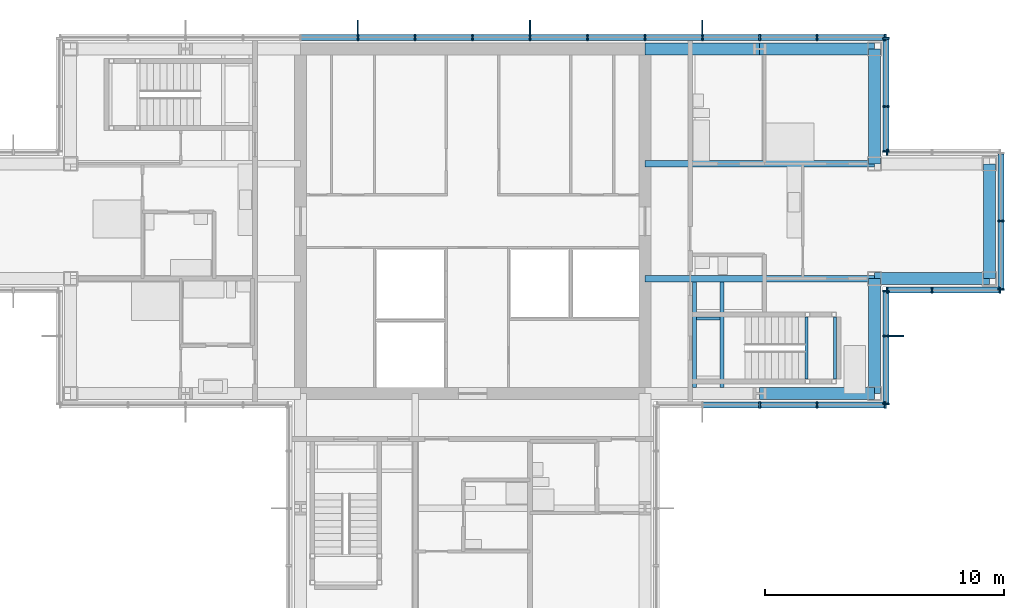
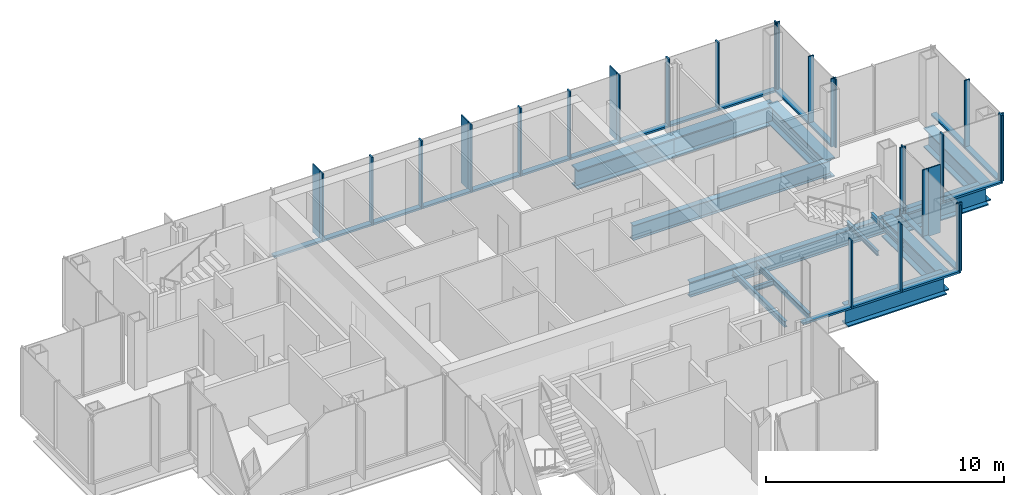
# One storey, part 7 of 15: 50 members, 14 beams, 7 elements without a shape of their own.
"""IFC4 building model written with IfcOpenShell, lengths in metres."""

from ifc_helpers import new_model, si_unit, direction, frame, origin, origin_2d, place, context, subcontext, project, spatial, rectangle, i_section, extrude, material, material_profile, profile_set, type_object, element, aggregate, save


model = new_model("IFC4")

# Units and contexts
model_context = context("Model", 3, precision=1e-05, world=origin(), true_north=direction((0.0, 1.0)))
body_context = subcontext(model_context, "Body", "Model", "MODEL_VIEW")
ifc_project = project(units=[si_unit("LENGTHUNIT", "METRE"), si_unit("AREAUNIT", "SQUARE_METRE"), si_unit("VOLUMEUNIT", "CUBIC_METRE"), si_unit("PLANEANGLEUNIT", "RADIAN"), si_unit("MASSUNIT", "GRAM", prefix="KILO")], contexts=[model_context])

# Site, building, storey
site_placement = place(None, origin())
site = spatial("IfcSite", under=ifc_project, at=site_placement, CompositionType="ELEMENT")
building_placement = place(site_placement, origin())
building = spatial("IfcBuilding", under=site, at=building_placement, Name="Kvirike Care Tower", CompositionType="ELEMENT")
storey_placement = place(building_placement, frame((0.0, 0.0, 205.0)))
storey = spatial("IfcBuildingStorey", under=building, at=storey_placement, Name="L56", CompositionType="ELEMENT", Elevation=205.0)

# Curtain wall, member
ifc_material_1 = material(Name="Anodised aluminium stick system", Category="aluminium")
curtain_wall_type = type_object("IfcCurtainWallType", Name="CW-D STICK CURTAIN WALL", PredefinedType="NOTDEFINED", material=ifc_material_1)
curtain_wall_1_placement = place(storey_placement, origin())
curtain_wall_1 = element("IfcCurtainWall", 1, at=curtain_wall_1_placement, inside=storey, type_object=curtain_wall_type, Name="Curtain wall L56 face 2", PredefinedType="NOTDEFINED")
ifc_material_2 = material(Name="Bronze anodised aluminium fin", Category="aluminium")
ifc_material_profile_1 = material_profile(ifc_material_2, rectangle(XDim=0.050048828125, YDim=0.60009765625, at=origin_2d()), Name="BRONZE FIN 600")
ifc_profile_set_1 = profile_set([ifc_material_profile_1], Name="Bronze anodised aluminium fin")
member_type_1 = type_object("IfcMemberType", Name="BRONZE FIN 600", PredefinedType="USERDEFINED", material=ifc_profile_set_1)
member_1_placement = place(storey_placement, frame((39.31005859375, 31.199951171875, 0.0), z_axis=(0.0, 0.0, 1.0), x_axis=(0.0, 1.0, 0.0)))
member_1 = element("IfcMember", 2, at=member_1_placement, type_object=member_type_1, Name="Bronze fin L56 face 2.2", ObjectType="FIN", PredefinedType="USERDEFINED", context=body_context, shape_type="SweptSolid", body=[
    extrude(rectangle(XDim=0.050048828125, YDim=0.60009765625, at=origin_2d()), origin(), (0.0, 0.0, 1.0), 3.5),
])

# Curtain wall, members
curtain_wall_2_placement = place(storey_placement, origin())
curtain_wall_2 = element("IfcCurtainWall", 3, at=curtain_wall_2_placement, inside=storey, type_object=curtain_wall_type, Name="Curtain wall L56 face 7", PredefinedType="NOTDEFINED")
member_2_placement = place(storey_placement, frame((31.199951171875, 44.110107421875, 0.0), z_axis=(0.0, 0.0, 1.0), x_axis=(-1.0, 0.0, 0.0)))
member_2 = element("IfcMember", 4, at=member_2_placement, type_object=member_type_1, Name="Bronze fin L56 face 7.4", ObjectType="FIN", PredefinedType="USERDEFINED", context=body_context, shape_type="SweptSolid", body=[
    extrude(rectangle(XDim=0.050048828125, YDim=0.60009765625, at=origin_2d()), origin(), (0.0, 0.0, 1.0), 3.5),
])
member_3_placement = place(storey_placement, frame((24.0, 44.110107421875, 0.0), z_axis=(0.0, 0.0, 1.0), x_axis=(-1.0, 0.0, 0.0)))
member_3 = element("IfcMember", 5, at=member_3_placement, type_object=member_type_1, Name="Bronze fin L56 face 7.7", ObjectType="FIN", PredefinedType="USERDEFINED", context=body_context, shape_type="SweptSolid", body=[
    extrude(rectangle(XDim=0.050048828125, YDim=0.60009765625, at=origin_2d()), origin(), (0.0, 0.0, 1.0), 3.5),
])
member_4_placement = place(storey_placement, frame((16.800048828125, 44.110107421875, 0.0), z_axis=(0.0, 0.0, 1.0), x_axis=(-1.0, 0.0, 0.0)))
member_4 = element("IfcMember", 6, at=member_4_placement, type_object=member_type_1, Name="Bronze fin L56 face 7.10", ObjectType="FIN", PredefinedType="USERDEFINED", context=body_context, shape_type="SweptSolid", body=[
    extrude(rectangle(XDim=0.050048828125, YDim=0.60009765625, at=origin_2d()), origin(), (0.0, 0.0, 1.0), 3.5),
])

curtain_wall_3_placement = place(storey_placement, origin())
curtain_wall_3 = element("IfcCurtainWall", 7, at=curtain_wall_3_placement, inside=storey, type_object=curtain_wall_type, Name="Curtain wall L56 face 1", PredefinedType="NOTDEFINED")
ifc_material_3 = material(Name="Bronze anodised aluminium mullion", Category="aluminium")
ifc_material_profile_2 = material_profile(ifc_material_3, rectangle(XDim=0.06494140625, YDim=0.260009765625, at=origin_2d()), Name="CW-D MULLION 65x260")
ifc_profile_set_2 = profile_set([ifc_material_profile_2], Name="Bronze anodised aluminium mullion")
member_type_2 = type_object("IfcMemberType", Name="CW-D MULLION 65x260", PredefinedType="MULLION", material=ifc_profile_set_2)
member_5_placement = place(storey_placement, frame((33.60009765625, 28.320068359375, 0.0), z_axis=(0.0, 0.0, 1.0), x_axis=(1.0, 0.0, 0.0)))
member_5 = element("IfcMember", 8, at=member_5_placement, type_object=member_type_2, Name="CW-D mullion L56 face 1.3", PredefinedType="MULLION", context=body_context, shape_type="SweptSolid", body=[
    extrude(rectangle(XDim=0.06494140625, YDim=0.260009765625, at=origin_2d()), origin(), (0.0, 0.0, 1.0), 3.5),
])
member_6_placement = place(storey_placement, frame((36.0, 28.320068359375, 0.0), z_axis=(0.0, 0.0, 1.0), x_axis=(1.0, 0.0, 0.0)))
member_6 = element("IfcMember", 9, at=member_6_placement, type_object=member_type_2, Name="CW-D mullion L56 face 1.4", PredefinedType="MULLION", context=body_context, shape_type="SweptSolid", body=[
    extrude(rectangle(XDim=0.06494140625, YDim=0.260009765625, at=origin_2d()), origin(), (0.0, 0.0, 1.0), 3.5),
])
member_7_placement = place(storey_placement, frame((38.847412109375, 28.320068359375, 0.0), z_axis=(0.0, 0.0, 1.0), x_axis=(1.0, 0.0, 0.0)))
member_7 = element("IfcMember", 10, at=member_7_placement, type_object=member_type_2, Name="CW-D mullion L56 face 1.5", PredefinedType="MULLION", context=body_context, shape_type="SweptSolid", body=[
    extrude(rectangle(XDim=0.06494140625, YDim=0.260009765625, at=origin_2d()), origin(), (0.0, 0.0, 1.0), 3.5),
])

# Member
member_8_placement = place(storey_placement, frame((38.8798828125, 28.3525390625, 0.0), z_axis=(0.0, 0.0, 1.0), x_axis=(0.0, 1.0, 0.0)))
member_8 = element("IfcMember", 11, at=member_8_placement, type_object=member_type_2, Name="CW-D mullion L56 face 2.1", PredefinedType="MULLION", context=body_context, shape_type="SweptSolid", body=[
    extrude(rectangle(XDim=0.06494140625, YDim=0.260009765625, at=origin_2d()), origin(), (0.0, 0.0, 1.0), 3.5),
])

member_9_placement = place(storey_placement, frame((38.8798828125, 31.199951171875, 0.0), z_axis=(0.0, 0.0, 1.0), x_axis=(0.0, 1.0, 0.0)))
member_9 = element("IfcMember", 12, at=member_9_placement, type_object=member_type_2, Name="CW-D mullion L56 face 2.2", PredefinedType="MULLION", context=body_context, shape_type="SweptSolid", body=[
    extrude(rectangle(XDim=0.06494140625, YDim=0.260009765625, at=origin_2d()), origin(), (0.0, 0.0, 1.0), 3.5),
])

member_10_placement = place(storey_placement, frame((38.8798828125, 33.08740234375, 0.0), z_axis=(0.0, 0.0, 1.0), x_axis=(0.0, 1.0, 0.0)))
member_10 = element("IfcMember", 13, at=member_10_placement, type_object=member_type_2, Name="CW-D mullion L56 face 2.3", PredefinedType="MULLION", context=body_context, shape_type="SweptSolid", body=[
    extrude(rectangle(XDim=0.06494140625, YDim=0.260009765625, at=origin_2d()), origin(), (0.0, 0.0, 1.0), 3.5),
])

# Curtain wall, members
curtain_wall_4_placement = place(storey_placement, origin())
curtain_wall_4 = element("IfcCurtainWall", 14, at=curtain_wall_4_placement, inside=storey, type_object=curtain_wall_type, Name="Curtain wall L56 face 3", PredefinedType="NOTDEFINED")
member_11_placement = place(storey_placement, frame((38.91259765625, 33.1201171875, 0.0), z_axis=(0.0, 0.0, 1.0), x_axis=(1.0, 0.0, 0.0)))
member_11 = element("IfcMember", 15, at=member_11_placement, type_object=member_type_2, Name="CW-D mullion L56 face 3.1", PredefinedType="MULLION", context=body_context, shape_type="SweptSolid", body=[
    extrude(rectangle(XDim=0.06494140625, YDim=0.260009765625, at=origin_2d()), origin(), (0.0, 0.0, 1.0), 3.5),
])
member_12_placement = place(storey_placement, frame((40.800048828125, 33.1201171875, 0.0), z_axis=(0.0, 0.0, 1.0), x_axis=(1.0, 0.0, 0.0)))
member_12 = element("IfcMember", 16, at=member_12_placement, type_object=member_type_2, Name="CW-D mullion L56 face 3.2", PredefinedType="MULLION", context=body_context, shape_type="SweptSolid", body=[
    extrude(rectangle(XDim=0.06494140625, YDim=0.260009765625, at=origin_2d()), origin(), (0.0, 0.0, 1.0), 3.5),
])
member_13_placement = place(storey_placement, frame((43.6474609375, 33.1201171875, 0.0), z_axis=(0.0, 0.0, 1.0), x_axis=(1.0, 0.0, 0.0)))
member_13 = element("IfcMember", 17, at=member_13_placement, type_object=member_type_2, Name="CW-D mullion L56 face 3.3", PredefinedType="MULLION", context=body_context, shape_type="SweptSolid", body=[
    extrude(rectangle(XDim=0.06494140625, YDim=0.260009765625, at=origin_2d()), origin(), (0.0, 0.0, 1.0), 3.5),
])

curtain_wall_5_placement = place(storey_placement, origin())
curtain_wall_5 = element("IfcCurtainWall", 18, at=curtain_wall_5_placement, inside=storey, type_object=curtain_wall_type, Name="Curtain wall L56 face 4", PredefinedType="NOTDEFINED")
member_14_placement = place(storey_placement, frame((43.679931640625, 33.152587890625, 0.0), z_axis=(0.0, 0.0, 1.0), x_axis=(0.0, 1.0, 0.0)))
member_14 = element("IfcMember", 19, at=member_14_placement, type_object=member_type_2, Name="CW-D mullion L56 face 4.1", PredefinedType="MULLION", context=body_context, shape_type="SweptSolid", body=[
    extrude(rectangle(XDim=0.06494140625, YDim=0.260009765625, at=origin_2d()), origin(), (0.0, 0.0, 1.0), 3.5),
])
member_15_placement = place(storey_placement, frame((43.679931640625, 36.0, 0.0), z_axis=(0.0, 0.0, 1.0), x_axis=(0.0, 1.0, 0.0)))
member_15 = element("IfcMember", 20, at=member_15_placement, type_object=member_type_2, Name="CW-D mullion L56 face 4.2", PredefinedType="MULLION", context=body_context, shape_type="SweptSolid", body=[
    extrude(rectangle(XDim=0.06494140625, YDim=0.260009765625, at=origin_2d()), origin(), (0.0, 0.0, 1.0), 3.5),
])

# Curtain wall, member
curtain_wall_6_placement = place(storey_placement, origin())
curtain_wall_6 = element("IfcCurtainWall", 21, at=curtain_wall_6_placement, inside=storey, type_object=curtain_wall_type, Name="Curtain wall L56 face 5", PredefinedType="NOTDEFINED")
member_16_placement = place(storey_placement, frame((38.91259765625, 38.8798828125, 0.0), z_axis=(0.0, 0.0, 1.0), x_axis=(-1.0, 0.0, 0.0)))
member_16 = element("IfcMember", 22, at=member_16_placement, type_object=member_type_2, Name="CW-D mullion L56 face 5.3", PredefinedType="MULLION", context=body_context, shape_type="SweptSolid", body=[
    extrude(rectangle(XDim=0.06494140625, YDim=0.260009765625, at=origin_2d()), origin(), (0.0, 0.0, 1.0), 3.5),
])
aggregate(curtain_wall_6, [member_16])

# Curtain wall, members
curtain_wall_7_placement = place(storey_placement, origin())
curtain_wall_7 = element("IfcCurtainWall", 23, at=curtain_wall_7_placement, inside=storey, type_object=curtain_wall_type, Name="Curtain wall L56 face 6", PredefinedType="NOTDEFINED")
member_17_placement = place(storey_placement, frame((38.8798828125, 38.91259765625, 0.0), z_axis=(0.0, 0.0, 1.0), x_axis=(0.0, 1.0, 0.0)))
member_17 = element("IfcMember", 24, at=member_17_placement, type_object=member_type_2, Name="CW-D mullion L56 face 6.1", PredefinedType="MULLION", context=body_context, shape_type="SweptSolid", body=[
    extrude(rectangle(XDim=0.06494140625, YDim=0.260009765625, at=origin_2d()), origin(), (0.0, 0.0, 1.0), 3.5),
])
member_18_placement = place(storey_placement, frame((38.8798828125, 40.800048828125, 0.0), z_axis=(0.0, 0.0, 1.0), x_axis=(0.0, 1.0, 0.0)))
member_18 = element("IfcMember", 25, at=member_18_placement, type_object=member_type_2, Name="CW-D mullion L56 face 6.2", PredefinedType="MULLION", context=body_context, shape_type="SweptSolid", body=[
    extrude(rectangle(XDim=0.06494140625, YDim=0.260009765625, at=origin_2d()), origin(), (0.0, 0.0, 1.0), 3.5),
])
member_19_placement = place(storey_placement, frame((38.8798828125, 43.6474609375, 0.0), z_axis=(0.0, 0.0, 1.0), x_axis=(0.0, 1.0, 0.0)))
member_19 = element("IfcMember", 26, at=member_19_placement, type_object=member_type_2, Name="CW-D mullion L56 face 6.3", PredefinedType="MULLION", context=body_context, shape_type="SweptSolid", body=[
    extrude(rectangle(XDim=0.06494140625, YDim=0.260009765625, at=origin_2d()), origin(), (0.0, 0.0, 1.0), 3.5),
])

# Member
member_20_placement = place(storey_placement, frame((38.847412109375, 43.679931640625, 0.0), z_axis=(0.0, 0.0, 1.0), x_axis=(-1.0, 0.0, 0.0)))
member_20 = element("IfcMember", 27, at=member_20_placement, type_object=member_type_2, Name="CW-D mullion L56 face 7.1", PredefinedType="MULLION", context=body_context, shape_type="SweptSolid", body=[
    extrude(rectangle(XDim=0.06494140625, YDim=0.260009765625, at=origin_2d()), origin(), (0.0, 0.0, 1.0), 3.5),
])

member_21_placement = place(storey_placement, frame((36.0, 43.679931640625, 0.0), z_axis=(0.0, 0.0, 1.0), x_axis=(-1.0, 0.0, 0.0)))
member_21 = element("IfcMember", 28, at=member_21_placement, type_object=member_type_2, Name="CW-D mullion L56 face 7.2", PredefinedType="MULLION", context=body_context, shape_type="SweptSolid", body=[
    extrude(rectangle(XDim=0.06494140625, YDim=0.260009765625, at=origin_2d()), origin(), (0.0, 0.0, 1.0), 3.5),
])

member_22_placement = place(storey_placement, frame((33.60009765625, 43.679931640625, 0.0), z_axis=(0.0, 0.0, 1.0), x_axis=(-1.0, 0.0, 0.0)))
member_22 = element("IfcMember", 29, at=member_22_placement, type_object=member_type_2, Name="CW-D mullion L56 face 7.3", PredefinedType="MULLION", context=body_context, shape_type="SweptSolid", body=[
    extrude(rectangle(XDim=0.06494140625, YDim=0.260009765625, at=origin_2d()), origin(), (0.0, 0.0, 1.0), 3.5),
])

member_23_placement = place(storey_placement, frame((31.199951171875, 43.679931640625, 0.0), z_axis=(0.0, 0.0, 1.0), x_axis=(-1.0, 0.0, 0.0)))
member_23 = element("IfcMember", 30, at=member_23_placement, type_object=member_type_2, Name="CW-D mullion L56 face 7.4", PredefinedType="MULLION", context=body_context, shape_type="SweptSolid", body=[
    extrude(rectangle(XDim=0.06494140625, YDim=0.260009765625, at=origin_2d()), origin(), (0.0, 0.0, 1.0), 3.5),
])

member_24_placement = place(storey_placement, frame((28.800048828125, 43.679931640625, 0.0), z_axis=(0.0, 0.0, 1.0), x_axis=(-1.0, 0.0, 0.0)))
member_24 = element("IfcMember", 31, at=member_24_placement, type_object=member_type_2, Name="CW-D mullion L56 face 7.5", PredefinedType="MULLION", context=body_context, shape_type="SweptSolid", body=[
    extrude(rectangle(XDim=0.06494140625, YDim=0.260009765625, at=origin_2d()), origin(), (0.0, 0.0, 1.0), 3.5),
])

member_25_placement = place(storey_placement, frame((26.39990234375, 43.679931640625, 0.0), z_axis=(0.0, 0.0, 1.0), x_axis=(-1.0, 0.0, 0.0)))
member_25 = element("IfcMember", 32, at=member_25_placement, type_object=member_type_2, Name="CW-D mullion L56 face 7.6", PredefinedType="MULLION", context=body_context, shape_type="SweptSolid", body=[
    extrude(rectangle(XDim=0.06494140625, YDim=0.260009765625, at=origin_2d()), origin(), (0.0, 0.0, 1.0), 3.5),
])

member_26_placement = place(storey_placement, frame((24.0, 43.679931640625, 0.0), z_axis=(0.0, 0.0, 1.0), x_axis=(-1.0, 0.0, 0.0)))
member_26 = element("IfcMember", 33, at=member_26_placement, type_object=member_type_2, Name="CW-D mullion L56 face 7.7", PredefinedType="MULLION", context=body_context, shape_type="SweptSolid", body=[
    extrude(rectangle(XDim=0.06494140625, YDim=0.260009765625, at=origin_2d()), origin(), (0.0, 0.0, 1.0), 3.5),
])

member_27_placement = place(storey_placement, frame((21.60009765625, 43.679931640625, 0.0), z_axis=(0.0, 0.0, 1.0), x_axis=(-1.0, 0.0, 0.0)))
member_27 = element("IfcMember", 34, at=member_27_placement, type_object=member_type_2, Name="CW-D mullion L56 face 7.8", PredefinedType="MULLION", context=body_context, shape_type="SweptSolid", body=[
    extrude(rectangle(XDim=0.06494140625, YDim=0.260009765625, at=origin_2d()), origin(), (0.0, 0.0, 1.0), 3.5),
])

member_28_placement = place(storey_placement, frame((19.199951171875, 43.679931640625, 0.0), z_axis=(0.0, 0.0, 1.0), x_axis=(-1.0, 0.0, 0.0)))
member_28 = element("IfcMember", 35, at=member_28_placement, type_object=member_type_2, Name="CW-D mullion L56 face 7.9", PredefinedType="MULLION", context=body_context, shape_type="SweptSolid", body=[
    extrude(rectangle(XDim=0.06494140625, YDim=0.260009765625, at=origin_2d()), origin(), (0.0, 0.0, 1.0), 3.5),
])

member_29_placement = place(storey_placement, frame((16.800048828125, 43.679931640625, 0.0), z_axis=(0.0, 0.0, 1.0), x_axis=(-1.0, 0.0, 0.0)))
member_29 = element("IfcMember", 36, at=member_29_placement, type_object=member_type_2, Name="CW-D mullion L56 face 7.10", PredefinedType="MULLION", context=body_context, shape_type="SweptSolid", body=[
    extrude(rectangle(XDim=0.06494140625, YDim=0.260009765625, at=origin_2d()), origin(), (0.0, 0.0, 1.0), 3.5),
])

ifc_material_4 = material(Name="Bronze anodised aluminium transom", Category="aluminium")
ifc_material_profile_3 = material_profile(ifc_material_4, rectangle(XDim=0.260009765625, YDim=0.10009765625, at=origin_2d()), Name="CW-D TRANSOM 260x100")
ifc_profile_set_3 = profile_set([ifc_material_profile_3], Name="Bronze anodised aluminium transom")
member_type_3 = type_object("IfcMemberType", Name="CW-D TRANSOM 260x100", PredefinedType="USERDEFINED", material=ifc_profile_set_3)
member_30_placement = place(storey_placement, frame((31.232421875, 28.320068359375, 0.050048828125), z_axis=(1.0, 0.0, 0.0), x_axis=(0.0, 1.0, 0.0)))
member_30 = element("IfcMember", 37, at=member_30_placement, type_object=member_type_3, Name="CW-D sill transom L56 face 1.2", ObjectType="TRANSOM", PredefinedType="USERDEFINED", context=body_context, shape_type="SweptSolid", body=[
    extrude(rectangle(XDim=0.260009765625, YDim=0.10009765625, at=origin_2d()), origin(), (0.0, 0.0, 1.0), 2.3349609375),
])

member_31_placement = place(storey_placement, frame((33.632568359375, 28.320068359375, 0.050048828125), z_axis=(1.0, 0.0, 0.0), x_axis=(0.0, 1.0, 0.0)))
member_31 = element("IfcMember", 38, at=member_31_placement, type_object=member_type_3, Name="CW-D sill transom L56 face 1.3", ObjectType="TRANSOM", PredefinedType="USERDEFINED", context=body_context, shape_type="SweptSolid", body=[
    extrude(rectangle(XDim=0.260009765625, YDim=0.10009765625, at=origin_2d()), origin(), (0.0, 0.0, 1.0), 2.3349609375),
])

member_32_placement = place(storey_placement, frame((36.032470703125, 28.320068359375, 0.050048828125), z_axis=(1.0, 0.0, 0.0), x_axis=(0.0, 1.0, 0.0)))
member_32 = element("IfcMember", 39, at=member_32_placement, type_object=member_type_3, Name="CW-D sill transom L56 face 1.4", ObjectType="TRANSOM", PredefinedType="USERDEFINED", context=body_context, shape_type="SweptSolid", body=[
    extrude(rectangle(XDim=0.260009765625, YDim=0.10009765625, at=origin_2d()), origin(), (0.0, 0.0, 1.0), 2.782470703125),
])

aggregate(curtain_wall_3, [member_5, member_6, member_7, member_30, member_31, member_32])

member_33_placement = place(storey_placement, frame((38.8798828125, 28.385009765625, 0.050048828125), z_axis=(0.0, 1.0, 0.0), x_axis=(-1.0, 0.0, 0.0)))
member_33 = element("IfcMember", 40, at=member_33_placement, type_object=member_type_3, Name="CW-D sill transom L56 face 2.1", ObjectType="TRANSOM", PredefinedType="USERDEFINED", context=body_context, shape_type="SweptSolid", body=[
    extrude(rectangle(XDim=0.260009765625, YDim=0.10009765625, at=origin_2d()), origin(), (0.0, 0.0, 1.0), 2.782470703125),
])

member_34_placement = place(storey_placement, frame((38.8798828125, 31.232421875, 0.050048828125), z_axis=(0.0, 1.0, 0.0), x_axis=(-1.0, 0.0, 0.0)))
member_34 = element("IfcMember", 41, at=member_34_placement, type_object=member_type_3, Name="CW-D sill transom L56 face 2.2", ObjectType="TRANSOM", PredefinedType="USERDEFINED", context=body_context, shape_type="SweptSolid", body=[
    extrude(rectangle(XDim=0.260009765625, YDim=0.10009765625, at=origin_2d()), origin(), (0.0, 0.0, 1.0), 1.822509765625),
])

aggregate(curtain_wall_1, [member_8, member_9, member_1, member_10, member_33, member_34])

member_35_placement = place(storey_placement, frame((38.945068359375, 33.1201171875, 0.050048828125), z_axis=(1.0, 0.0, 0.0), x_axis=(0.0, 1.0, 0.0)))
member_35 = element("IfcMember", 42, at=member_35_placement, type_object=member_type_3, Name="CW-D sill transom L56 face 3.1", ObjectType="TRANSOM", PredefinedType="USERDEFINED", context=body_context, shape_type="SweptSolid", body=[
    extrude(rectangle(XDim=0.260009765625, YDim=0.10009765625, at=origin_2d()), origin(), (0.0, 0.0, 1.0), 1.822509765625),
])

member_36_placement = place(storey_placement, frame((40.83251953125, 33.1201171875, 0.050048828125), z_axis=(1.0, 0.0, 0.0), x_axis=(0.0, 1.0, 0.0)))
member_36 = element("IfcMember", 43, at=member_36_placement, type_object=member_type_3, Name="CW-D sill transom L56 face 3.2", ObjectType="TRANSOM", PredefinedType="USERDEFINED", context=body_context, shape_type="SweptSolid", body=[
    extrude(rectangle(XDim=0.260009765625, YDim=0.10009765625, at=origin_2d()), origin(), (0.0, 0.0, 1.0), 2.782470703125),
])

aggregate(curtain_wall_4, [member_11, member_12, member_13, member_35, member_36])

member_37_placement = place(storey_placement, frame((43.679931640625, 33.18505859375, 0.050048828125), z_axis=(0.0, 1.0, 0.0), x_axis=(-1.0, 0.0, 0.0)))
member_37 = element("IfcMember", 44, at=member_37_placement, type_object=member_type_3, Name="CW-D sill transom L56 face 4.1", ObjectType="TRANSOM", PredefinedType="USERDEFINED", context=body_context, shape_type="SweptSolid", body=[
    extrude(rectangle(XDim=0.260009765625, YDim=0.10009765625, at=origin_2d()), origin(), (0.0, 0.0, 1.0), 2.782470703125),
])

member_38_placement = place(storey_placement, frame((43.679931640625, 36.032470703125, 0.050048828125), z_axis=(0.0, 1.0, 0.0), x_axis=(-1.0, 0.0, 0.0)))
member_38 = element("IfcMember", 45, at=member_38_placement, type_object=member_type_3, Name="CW-D sill transom L56 face 4.2", ObjectType="TRANSOM", PredefinedType="USERDEFINED", context=body_context, shape_type="SweptSolid", body=[
    extrude(rectangle(XDim=0.260009765625, YDim=0.10009765625, at=origin_2d()), origin(), (0.0, 0.0, 1.0), 2.782470703125),
])

aggregate(curtain_wall_5, [member_14, member_15, member_37, member_38])

member_39_placement = place(storey_placement, frame((38.8798828125, 38.945068359375, 0.050048828125), z_axis=(0.0, 1.0, 0.0), x_axis=(-1.0, 0.0, 0.0)))
member_39 = element("IfcMember", 46, at=member_39_placement, type_object=member_type_3, Name="CW-D sill transom L56 face 6.1", ObjectType="TRANSOM", PredefinedType="USERDEFINED", context=body_context, shape_type="SweptSolid", body=[
    extrude(rectangle(XDim=0.260009765625, YDim=0.10009765625, at=origin_2d()), origin(), (0.0, 0.0, 1.0), 1.822509765625),
])

member_40_placement = place(storey_placement, frame((38.8798828125, 40.83251953125, 0.050048828125), z_axis=(0.0, 1.0, 0.0), x_axis=(-1.0, 0.0, 0.0)))
member_40 = element("IfcMember", 47, at=member_40_placement, type_object=member_type_3, Name="CW-D sill transom L56 face 6.2", ObjectType="TRANSOM", PredefinedType="USERDEFINED", context=body_context, shape_type="SweptSolid", body=[
    extrude(rectangle(XDim=0.260009765625, YDim=0.10009765625, at=origin_2d()), origin(), (0.0, 0.0, 1.0), 2.782470703125),
])

aggregate(curtain_wall_7, [member_17, member_18, member_19, member_39, member_40])

member_41_placement = place(storey_placement, frame((38.81494140625, 43.679931640625, 0.050048828125), z_axis=(-1.0, 0.0, 0.0), x_axis=(0.0, -1.0, 0.0)))
member_41 = element("IfcMember", 48, at=member_41_placement, type_object=member_type_3, Name="CW-D sill transom L56 face 7.1", ObjectType="TRANSOM", PredefinedType="USERDEFINED", context=body_context, shape_type="SweptSolid", body=[
    extrude(rectangle(XDim=0.260009765625, YDim=0.10009765625, at=origin_2d()), origin(), (0.0, 0.0, 1.0), 2.782470703125),
])

member_42_placement = place(storey_placement, frame((35.967529296875, 43.679931640625, 0.050048828125), z_axis=(-1.0, 0.0, 0.0), x_axis=(0.0, -1.0, 0.0)))
member_42 = element("IfcMember", 49, at=member_42_placement, type_object=member_type_3, Name="CW-D sill transom L56 face 7.2", ObjectType="TRANSOM", PredefinedType="USERDEFINED", context=body_context, shape_type="SweptSolid", body=[
    extrude(rectangle(XDim=0.260009765625, YDim=0.10009765625, at=origin_2d()), origin(), (0.0, 0.0, 1.0), 2.3349609375),
])

member_43_placement = place(storey_placement, frame((33.5673828125, 43.679931640625, 0.050048828125), z_axis=(-1.0, 0.0, 0.0), x_axis=(0.0, -1.0, 0.0)))
member_43 = element("IfcMember", 50, at=member_43_placement, type_object=member_type_3, Name="CW-D sill transom L56 face 7.3", ObjectType="TRANSOM", PredefinedType="USERDEFINED", context=body_context, shape_type="SweptSolid", body=[
    extrude(rectangle(XDim=0.260009765625, YDim=0.10009765625, at=origin_2d()), origin(), (0.0, 0.0, 1.0), 2.3349609375),
])

member_44_placement = place(storey_placement, frame((31.16748046875, 43.679931640625, 0.050048828125), z_axis=(-1.0, 0.0, 0.0), x_axis=(0.0, -1.0, 0.0)))
member_44 = element("IfcMember", 51, at=member_44_placement, type_object=member_type_3, Name="CW-D sill transom L56 face 7.4", ObjectType="TRANSOM", PredefinedType="USERDEFINED", context=body_context, shape_type="SweptSolid", body=[
    extrude(rectangle(XDim=0.260009765625, YDim=0.10009765625, at=origin_2d()), origin(), (0.0, 0.0, 1.0), 2.3349609375),
])

member_45_placement = place(storey_placement, frame((28.767578125, 43.679931640625, 0.050048828125), z_axis=(-1.0, 0.0, 0.0), x_axis=(0.0, -1.0, 0.0)))
member_45 = element("IfcMember", 52, at=member_45_placement, type_object=member_type_3, Name="CW-D sill transom L56 face 7.5", ObjectType="TRANSOM", PredefinedType="USERDEFINED", context=body_context, shape_type="SweptSolid", body=[
    extrude(rectangle(XDim=0.260009765625, YDim=0.10009765625, at=origin_2d()), origin(), (0.0, 0.0, 1.0), 2.3349609375),
])

member_46_placement = place(storey_placement, frame((26.367431640625, 43.679931640625, 0.050048828125), z_axis=(-1.0, 0.0, 0.0), x_axis=(0.0, -1.0, 0.0)))
member_46 = element("IfcMember", 53, at=member_46_placement, type_object=member_type_3, Name="CW-D sill transom L56 face 7.6", ObjectType="TRANSOM", PredefinedType="USERDEFINED", context=body_context, shape_type="SweptSolid", body=[
    extrude(rectangle(XDim=0.260009765625, YDim=0.10009765625, at=origin_2d()), origin(), (0.0, 0.0, 1.0), 2.3349609375),
])

member_47_placement = place(storey_placement, frame((23.967529296875, 43.679931640625, 0.050048828125), z_axis=(-1.0, 0.0, 0.0), x_axis=(0.0, -1.0, 0.0)))
member_47 = element("IfcMember", 54, at=member_47_placement, type_object=member_type_3, Name="CW-D sill transom L56 face 7.7", ObjectType="TRANSOM", PredefinedType="USERDEFINED", context=body_context, shape_type="SweptSolid", body=[
    extrude(rectangle(XDim=0.260009765625, YDim=0.10009765625, at=origin_2d()), origin(), (0.0, 0.0, 1.0), 2.3349609375),
])

member_48_placement = place(storey_placement, frame((21.5673828125, 43.679931640625, 0.050048828125), z_axis=(-1.0, 0.0, 0.0), x_axis=(0.0, -1.0, 0.0)))
member_48 = element("IfcMember", 55, at=member_48_placement, type_object=member_type_3, Name="CW-D sill transom L56 face 7.8", ObjectType="TRANSOM", PredefinedType="USERDEFINED", context=body_context, shape_type="SweptSolid", body=[
    extrude(rectangle(XDim=0.260009765625, YDim=0.10009765625, at=origin_2d()), origin(), (0.0, 0.0, 1.0), 2.3349609375),
])

member_49_placement = place(storey_placement, frame((19.16748046875, 43.679931640625, 0.050048828125), z_axis=(-1.0, 0.0, 0.0), x_axis=(0.0, -1.0, 0.0)))
member_49 = element("IfcMember", 56, at=member_49_placement, type_object=member_type_3, Name="CW-D sill transom L56 face 7.9", ObjectType="TRANSOM", PredefinedType="USERDEFINED", context=body_context, shape_type="SweptSolid", body=[
    extrude(rectangle(XDim=0.260009765625, YDim=0.10009765625, at=origin_2d()), origin(), (0.0, 0.0, 1.0), 2.3349609375),
])

member_50_placement = place(storey_placement, frame((16.767578125, 43.679931640625, 0.050048828125), z_axis=(-1.0, 0.0, 0.0), x_axis=(0.0, -1.0, 0.0)))
member_50 = element("IfcMember", 57, at=member_50_placement, type_object=member_type_3, Name="CW-D sill transom L56 face 7.10", ObjectType="TRANSOM", PredefinedType="USERDEFINED", context=body_context, shape_type="SweptSolid", body=[
    extrude(rectangle(XDim=0.260009765625, YDim=0.10009765625, at=origin_2d()), origin(), (0.0, 0.0, 1.0), 2.3349609375),
])

aggregate(curtain_wall_2, [member_20, member_21, member_22, member_23, member_2, member_24, member_25, member_26, member_3, member_27, member_28, member_29, member_4, member_41, member_42, member_43, member_44, member_45, member_46, member_47, member_48, member_49, member_50])

# Beams
ifc_material_5 = material(Name="Steel S355", Category="steel")
ifc_material_profile_4 = material_profile(ifc_material_5, i_section(OverallWidth=0.26806640625, OverallDepth=0.77001953125, WebThickness=0.015625, FlangeThickness=0.025390625, FilletRadius=0.01708984375, at=origin_2d()), Name="IPE 750x196")
ifc_profile_set_4 = profile_set([ifc_material_profile_4], Name="Steel S355")
beam_type_1 = type_object("IfcBeamType", Name="FLOOR BEAM IPE 750x196", PredefinedType="BEAM", material=ifc_profile_set_4)
for number, where, z_axis, x_axis, name in (
    (58, (28.800048828125, 33.60009765625, -0.554931640625), (1.0, 0.0, 0.0), (0.0, 1.0, 0.0), "Floor Beam H9-H11 L56"),
    (59, (28.800048828125, 38.39990234375, -0.554931640625), (1.0, 0.0, 0.0), (0.0, 1.0, 0.0), "Floor Beam J9-J11 L56"),
):
    element("IfcBeam", number, at=place(storey_placement, frame(where, z_axis=z_axis, x_axis=x_axis)), inside=storey, type_object=beam_type_1, Name=name, PredefinedType="BEAM", context=body_context, shape_type="SweptSolid", body=[
        extrude(i_section(OverallWidth=0.26806640625, OverallDepth=0.77001953125, WebThickness=0.015625, FlangeThickness=0.025390625, FilletRadius=0.01708984375, at=origin_2d()), origin(), (0.0, 0.0, 1.0), 9.599853515625),
    ])
ifc_material_6 = material(Name="Steel S355", Category="steel")
ifc_material_profile_5 = material_profile(ifc_material_6, i_section(OverallWidth=0.5, OverallDepth=1.0, WebThickness=0.030029296875, FlangeThickness=0.06005859375, at=origin_2d()), Name="PG 1000x500x30x60")
ifc_profile_set_5 = profile_set([ifc_material_profile_5], Name="Steel S355")
beam_type_2 = type_object("IfcBeamType", Name="SPANDREL PG 1000x500x30x60", PredefinedType="SPANDREL", material=ifc_profile_set_5)
beam_1_placement = place(storey_placement, frame((33.60009765625, 28.800048828125, -0.669921875), z_axis=(1.0, 0.0, 0.0), x_axis=(0.0, 1.0, 0.0)))
element("IfcBeam", 60, at=beam_1_placement, inside=storey, type_object=beam_type_2, Name="Spandrel G10-G11 L56", PredefinedType="SPANDREL", context=body_context, shape_type="SweptSolid", body=[
    extrude(i_section(OverallWidth=0.5, OverallDepth=1.0, WebThickness=0.030029296875, FlangeThickness=0.06005859375, at=origin_2d()), origin(), (0.0, 0.0, 1.0), 4.7998046875),
])
for number, where, z_axis, x_axis, name in (
    (61, (38.39990234375, 33.60009765625, -0.669921875), (1.0, 0.0, 0.0), (0.0, 1.0, 0.0), "Spandrel H11-H12 L56"),
    (62, (28.800048828125, 43.199951171875, -0.669921875), (1.0, 0.0, 0.0), (0.0, 1.0, 0.0), "Spandrel K9-K10 L56"),
):
    element("IfcBeam", number, at=place(storey_placement, frame(where, z_axis=z_axis, x_axis=x_axis)), inside=storey, type_object=beam_type_2, Name=name, PredefinedType="SPANDREL", context=body_context, shape_type="SweptSolid", body=[
        extrude(i_section(OverallWidth=0.5, OverallDepth=1.0, WebThickness=0.030029296875, FlangeThickness=0.06005859375, at=origin_2d()), origin(), (0.0, 0.0, 1.0), 4.800048828125),
    ])
beam_2_placement = place(storey_placement, frame((33.60009765625, 43.199951171875, -0.669921875), z_axis=(1.0, 0.0, 0.0), x_axis=(0.0, 1.0, 0.0)))
element("IfcBeam", 63, at=beam_2_placement, inside=storey, type_object=beam_type_2, Name="Spandrel K10-K11 L56", PredefinedType="SPANDREL", context=body_context, shape_type="SweptSolid", body=[
    extrude(i_section(OverallWidth=0.5, OverallDepth=1.0, WebThickness=0.030029296875, FlangeThickness=0.06005859375, at=origin_2d()), origin(), (0.0, 0.0, 1.0), 4.7998046875),
])
for number, where, z_axis, x_axis, name in (
    (64, (38.39990234375, 28.800048828125, -0.669921875), (0.0, 1.0, 0.0), (-1.0, 0.0, 0.0), "Spandrel G11-H11 L56"),
    (65, (38.39990234375, 38.39990234375, -0.669921875), (0.0, 1.0, 0.0), (-1.0, 0.0, 0.0), "Spandrel J11-K11 L56"),
):
    element("IfcBeam", number, at=place(storey_placement, frame(where, z_axis=z_axis, x_axis=x_axis)), inside=storey, type_object=beam_type_2, Name=name, PredefinedType="SPANDREL", context=body_context, shape_type="SweptSolid", body=[
        extrude(i_section(OverallWidth=0.5, OverallDepth=1.0, WebThickness=0.030029296875, FlangeThickness=0.06005859375, at=origin_2d()), origin(), (0.0, 0.0, 1.0), 4.800048828125),
    ])
beam_3_placement = place(storey_placement, frame((43.199951171875, 33.60009765625, -0.669921875), z_axis=(0.0, 1.0, 0.0), x_axis=(-1.0, 0.0, 0.0)))
element("IfcBeam", 66, at=beam_3_placement, inside=storey, type_object=beam_type_2, Name="Spandrel H12-J12 L56", PredefinedType="SPANDREL", context=body_context, shape_type="SweptSolid", body=[
    extrude(i_section(OverallWidth=0.5, OverallDepth=1.0, WebThickness=0.030029296875, FlangeThickness=0.06005859375, at=origin_2d()), origin(), (0.0, 0.0, 1.0), 4.7998046875),
])
ifc_material_7 = material(Name="Steel S355", Category="steel")
ifc_material_profile_6 = material_profile(ifc_material_7, i_section(OverallWidth=0.1201171875, OverallDepth=0.239990234375, WebThickness=0.006103515625, FlangeThickness=0.009765625, FilletRadius=0.014892578125, at=origin_2d()), Name="IPE 240")
ifc_profile_set_6 = profile_set([ifc_material_profile_6], Name="Steel S355")
beam_type_3 = type_object("IfcBeamType", Name="STAIR LANDING BEAM IPE 240", PredefinedType="BEAM", material=ifc_profile_set_6)
for number, where, z_axis, x_axis, name in (
    (67, (36.739990234375, 29.39990234375, 1.429931640625), (0.0, 1.0, 0.0), (-1.0, 0.0, 0.0), "Stair 2 landing beam back L56"),
    (68, (35.56005859375, 29.39990234375, 1.429931640625), (0.0, 1.0, 0.0), (-1.0, 0.0, 0.0), "Stair 2 landing beam front L56"),
):
    element("IfcBeam", number, at=place(storey_placement, frame(where, z_axis=z_axis, x_axis=x_axis)), inside=storey, type_object=beam_type_3, Name=name, PredefinedType="BEAM", context=body_context, shape_type="SweptSolid", body=[
        extrude(i_section(OverallWidth=0.1201171875, OverallDepth=0.239990234375, WebThickness=0.006103515625, FlangeThickness=0.009765625, FilletRadius=0.014892578125, at=origin_2d()), origin(), (0.0, 0.0, 1.0), 2.60009765625),
    ])
beam_4_placement = place(storey_placement, frame((31.949951171875, 31.93994140625, -0.320068359375), z_axis=(-1.0, 0.0, 0.0), x_axis=(0.0, -1.0, 0.0)))
element("IfcBeam", 69, at=beam_4_placement, inside=storey, type_object=beam_type_3, Name="Stair 2 landing edge beam 2 L56", PredefinedType="BEAM", context=body_context, shape_type="SweptSolid", body=[
    extrude(i_section(OverallWidth=0.1201171875, OverallDepth=0.239990234375, WebThickness=0.006103515625, FlangeThickness=0.009765625, FilletRadius=0.014892578125, at=origin_2d()), origin(), (0.0, 0.0, 1.0), 1.0),
])
ifc_material_8 = material(Name="Steel S355", Category="steel")
ifc_material_profile_7 = material_profile(ifc_material_8, i_section(OverallWidth=0.14990234375, OverallDepth=0.300048828125, WebThickness=0.007080078125, FlangeThickness=0.0107421875, FilletRadius=0.014892578125, at=origin_2d()), Name="IPE 300")
ifc_profile_set_7 = profile_set([ifc_material_profile_7], Name="Steel S355")
beam_type_4 = type_object("IfcBeamType", Name="STAIR TRIMMER IPE 300", PredefinedType="BEAM", material=ifc_profile_set_7)
for number, where, z_axis, x_axis, name in (
    (70, (32.02490234375, 29.050048828125, -0.35009765625), (0.0, 1.0, 0.0), (-1.0, 0.0, 0.0), "Stair 2 trimmer 1 L56"),
    (71, (30.875, 29.050048828125, -0.35009765625), (0.0, 1.0, 0.0), (-1.0, 0.0, 0.0), "Stair 2 trimmer 2 L56"),
):
    element("IfcBeam", number, at=place(storey_placement, frame(where, z_axis=z_axis, x_axis=x_axis)), inside=storey, type_object=beam_type_4, Name=name, PredefinedType="BEAM", context=body_context, shape_type="SweptSolid", body=[
        extrude(i_section(OverallWidth=0.14990234375, OverallDepth=0.300048828125, WebThickness=0.007080078125, FlangeThickness=0.0107421875, FilletRadius=0.014892578125, at=origin_2d()), origin(), (0.0, 0.0, 1.0), 4.416015625),
    ])

save(model, "model.ifc")
